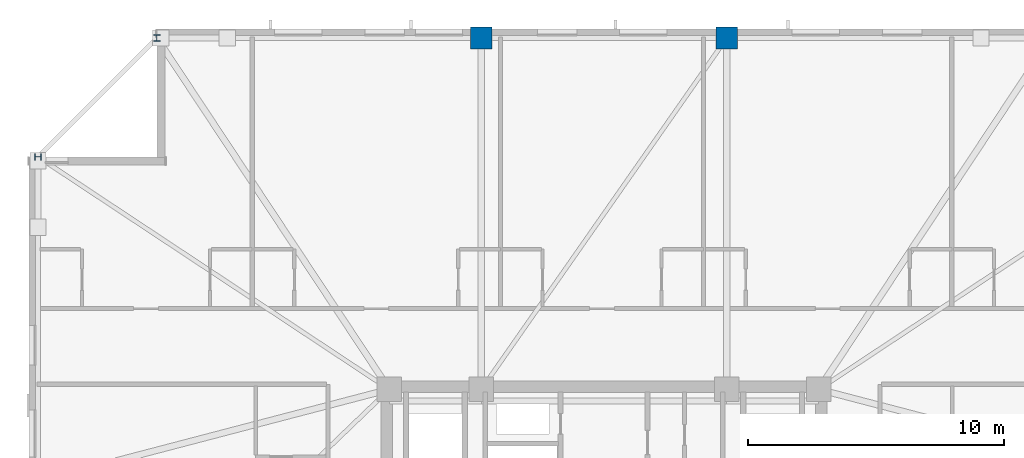
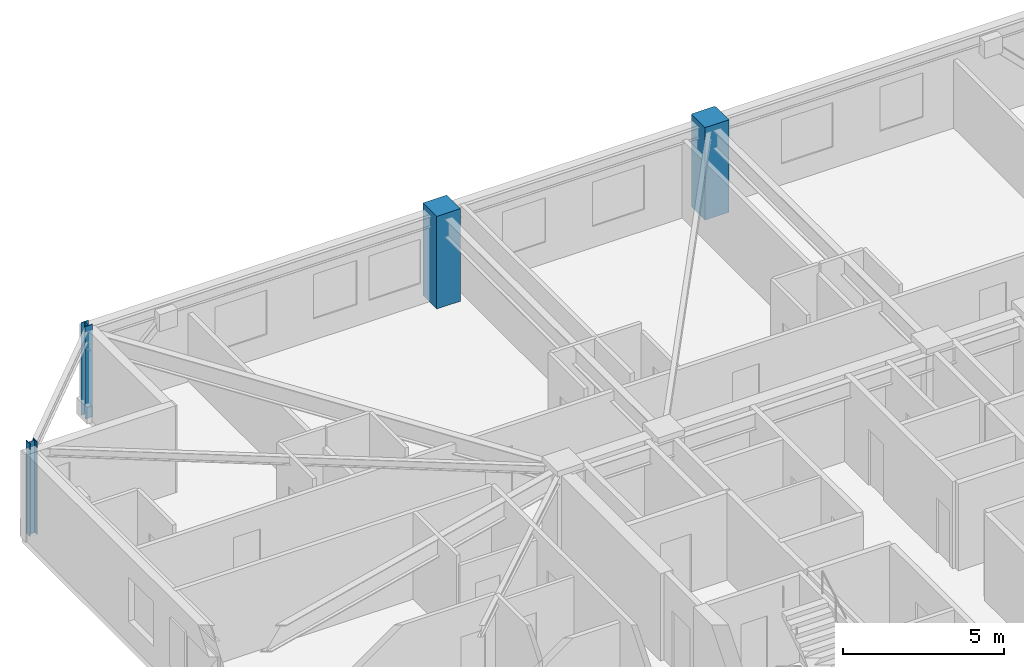
# One storey, part 4 of 17: 4 columns.
"""IFC4 building model written with IfcOpenShell, lengths in metres."""

from ifc_helpers import new_model, si_unit, direction, frame, origin, origin_2d, place, context, subcontext, project, spatial, rectangle, i_section, extrude, material, material_profile, profile_set, type_object, element, save


model = new_model("IFC4")

# Units and contexts
model_context = context("Model", 3, precision=1e-05, world=origin(), true_north=direction((0.0, 1.0)))
body_context = subcontext(model_context, "Body", "Model", "MODEL_VIEW")
ifc_project = project(units=[si_unit("LENGTHUNIT", "METRE"), si_unit("AREAUNIT", "SQUARE_METRE"), si_unit("VOLUMEUNIT", "CUBIC_METRE"), si_unit("PLANEANGLEUNIT", "RADIAN"), si_unit("MASSUNIT", "GRAM", prefix="KILO")], contexts=[model_context])

# Site, building, storey
site_placement = place(None, origin())
site = spatial("IfcSite", under=ifc_project, at=site_placement, CompositionType="ELEMENT")
building_placement = place(site_placement, origin())
building = spatial("IfcBuilding", under=site, at=building_placement, Name="Cairnveth Concourse Tower", CompositionType="ELEMENT")
storey_placement = place(building_placement, frame((0.0, 0.0, 237.5)))
storey = spatial("IfcBuildingStorey", under=building, at=storey_placement, Name="L65", CompositionType="ELEMENT", Elevation=237.5)

# Columns
ifc_material_1 = material(Name="Concrete N65 (65 MPa)", Category="concrete")
ifc_material_profile_1 = material_profile(ifc_material_1, rectangle(XDim=0.85009765625, YDim=0.85009765625, at=origin_2d()), Name="RC-COL-850x850")
ifc_profile_set_1 = profile_set([ifc_material_profile_1], Name="Concrete N65 (65 MPa)")
column_type_1 = type_object("IfcColumnType", Name="PERIMETER PIER COLUMN 850X850", PredefinedType="COLUMN", material=ifc_profile_set_1)
for number, where, z_axis, x_axis, name in (
    (1, (56.800048828125, 61.14990234375, 0.0), (0.0, 0.0, 1.0), (1.0, 0.0, 0.0), "Column P-N2 L65"),
    (2, (47.199951171875, 61.14990234375, 0.0), (0.0, 0.0, 1.0), (1.0, 0.0, 0.0), "Column P-N3 L65"),
):
    element("IfcColumn", number, at=place(storey_placement, frame(where, z_axis=z_axis, x_axis=x_axis)), inside=storey, type_object=column_type_1, Name=name, PredefinedType="COLUMN", context=body_context, shape_type="SweptSolid", body=[
        extrude(rectangle(XDim=0.85009765625, YDim=0.85009765625, at=origin_2d()), origin(), (0.0, 0.0, 1.0), 3.5),
    ])
ifc_material_2 = material(Name="Steel Grade 350", Category="steel")
ifc_material_profile_2 = material_profile(ifc_material_2, i_section(OverallWidth=0.256103515625, OverallDepth=0.260009765625, WebThickness=0.010498046875, FlangeThickness=0.017333984375, FilletRadius=0.012939453125, at=origin_2d()), Name="250UC89.5")
ifc_profile_set_2 = profile_set([ifc_material_profile_2], Name="Steel Grade 350")
column_type_2 = type_object("IfcColumnType", Name="UNIVERSAL STEEL COLUMN 250UC89.5", PredefinedType="COLUMN", material=ifc_profile_set_2)
for number, where, z_axis, x_axis, name in (
    (3, (34.5, 61.14990234375, 0.0), (0.0, 0.0, 1.0), (1.0, 0.0, 0.0), "Column P-N4 L65"),
    (4, (29.85009765625, 56.5, 0.0), (0.0, 0.0, 1.0), (0.0, 1.0, 0.0), "Column P-W1 L65"),
):
    element("IfcColumn", number, at=place(storey_placement, frame(where, z_axis=z_axis, x_axis=x_axis)), inside=storey, type_object=column_type_2, Name=name, PredefinedType="COLUMN", context=body_context, shape_type="SweptSolid", body=[
        extrude(i_section(OverallWidth=0.256103515625, OverallDepth=0.260009765625, WebThickness=0.010498046875, FlangeThickness=0.017333984375, FilletRadius=0.012939453125, at=origin_2d()), origin(), (0.0, 0.0, 1.0), 3.5),
    ])

save(model, "model.ifc")
